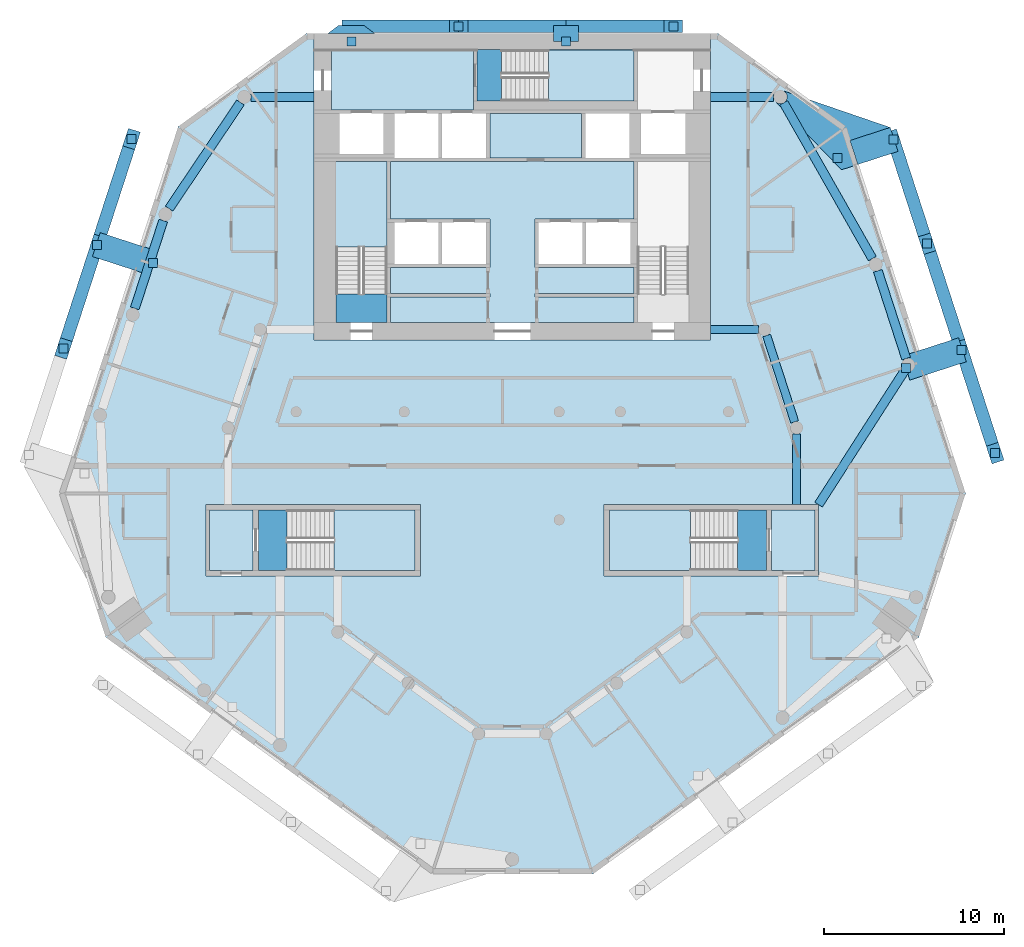
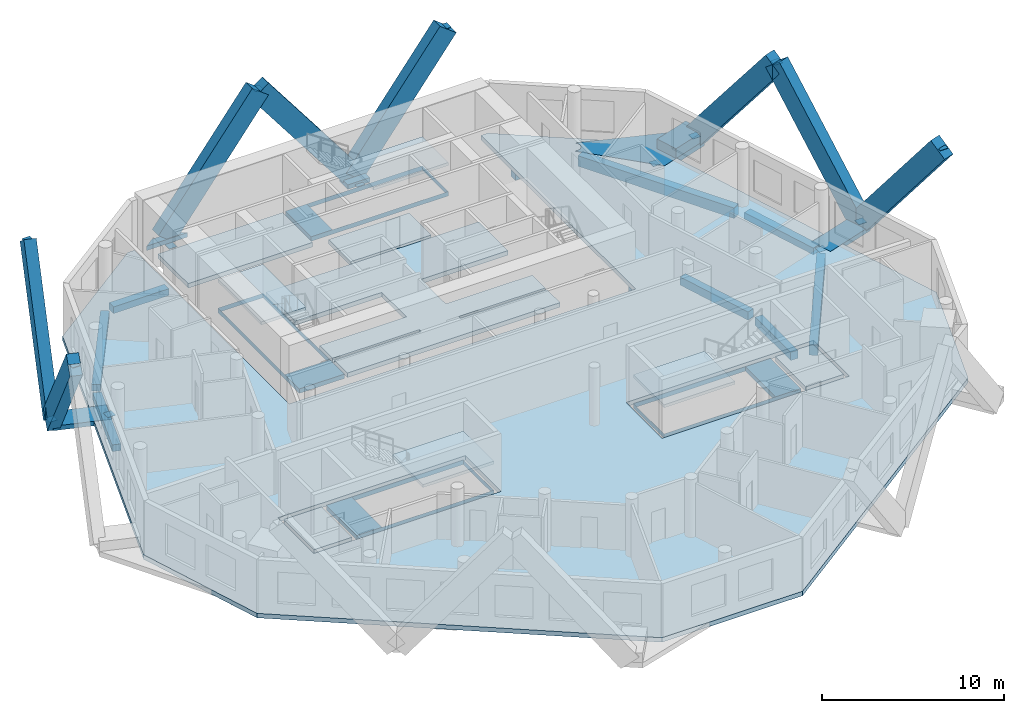
# One storey, part 2 of 10: 14 discrete accessories, 14 members, 14 slabs, 10 beams, 4 elements without a shape of their own.
"""IFC4 building model written with IfcOpenShell, lengths in metres."""

from ifc_helpers import new_model, si_unit, direction, frame, origin, origin_2d, place, context, subcontext, project, spatial, polyline, rectangle, outline, extrude, material, layer, layer_set, material_profile, profile_set, type_object, element, aggregate, save


model = new_model("IFC4")

# Units and contexts
model_context = context("Model", 3, precision=1e-05, world=origin(), true_north=direction((0.0, 1.0)))
body_context = subcontext(model_context, "Body", "Model", "MODEL_VIEW")
ifc_project = project(units=[si_unit("LENGTHUNIT", "METRE"), si_unit("AREAUNIT", "SQUARE_METRE"), si_unit("VOLUMEUNIT", "CUBIC_METRE"), si_unit("PLANEANGLEUNIT", "RADIAN"), si_unit("MASSUNIT", "GRAM", prefix="KILO")], contexts=[model_context])

# Site, building, storey
site_placement = place(None, origin())
site = spatial("IfcSite", under=ifc_project, at=site_placement, CompositionType="ELEMENT")
building_placement = place(site_placement, origin())
building = spatial("IfcBuilding", under=site, at=building_placement, Name="White Candle Pilgrim Tower", CompositionType="ELEMENT")
storey_placement = place(building_placement, frame((0.0, 0.0, 183.699951171875)))
storey = spatial("IfcBuildingStorey", under=building, at=storey_placement, Name="L42", CompositionType="ELEMENT", Elevation=183.699951171875)

# Member
ifc_material_1 = material(Name="Concrete C70/85, white", Category="concrete")
ifc_material_profile_1 = material_profile(ifc_material_1, rectangle(XDim=0.699951171875, YDim=1.300048828125, at=origin_2d()), Name="RC-DG 700x1300")
ifc_profile_set_1 = profile_set([ifc_material_profile_1], Name="Concrete C70/85, white")
member_type_1 = type_object("IfcMemberType", Name="Exoskeleton diagonal RC-DG 700x1300 C70/85", PredefinedType="BRACE", material=ifc_profile_set_1)
member_1_placement = place(storey_placement, frame((72.97900390625, 88.39990234375, 0.0), z_axis=(0.607017009113, 0.0, 0.794688838885), x_axis=(0.0, 1.0, 0.0)))
member_1 = element("IfcMember", 1, at=member_1_placement, inside=storey, type_object=member_type_1, Name="Exoskeleton diagonal EX130", PredefinedType="BRACE", context=body_context, shape_type="SweptSolid", body=[
    extrude(rectangle(XDim=0.699951171875, YDim=1.300048828125, at=origin_2d()), origin(), (0.0, 0.0, 1.0), 9.815185546875),
])

member_2_placement = place(storey_placement, frame((72.97900390625, 88.39990234375, 0.0), z_axis=(-0.607017009113, 0.0, 0.794688838885), x_axis=(0.0, -1.0, 0.0)))
member_2 = element("IfcMember", 2, at=member_2_placement, inside=storey, type_object=member_type_1, Name="Exoskeleton diagonal EX131", PredefinedType="BRACE", context=body_context, shape_type="SweptSolid", body=[
    extrude(rectangle(XDim=0.699951171875, YDim=1.300048828125, at=origin_2d()), origin(), (0.0, 0.0, 1.0), 9.815185546875),
])

member_3_placement = place(storey_placement, frame((61.06298828125, 88.39990234375, 0.0), z_axis=(0.607017009113, 0.0, 0.794688838885), x_axis=(0.0, 1.0, 0.0)))
element("IfcMember", 3, at=member_3_placement, inside=storey, type_object=member_type_1, Name="Exoskeleton diagonal EX132", PredefinedType="BRACE", context=body_context, shape_type="SweptSolid", body=[
    extrude(rectangle(XDim=0.699951171875, YDim=1.300048828125, at=origin_2d()), origin(), (0.0, 0.0, 1.0), 9.815185546875),
])

member_4_placement = place(storey_placement, frame((94.941162109375, 70.43017578125, 0.0), z_axis=(0.188774143624, -0.581016978938, 0.791696654587), x_axis=(0.95106119059, 0.309002608006, 0.0)))
member_4 = element("IfcMember", 4, at=member_4_placement, inside=storey, type_object=member_type_1, Name="Exoskeleton diagonal EX142", PredefinedType="BRACE", context=body_context, shape_type="SweptSolid", body=[
    extrude(rectangle(XDim=0.699951171875, YDim=1.300048828125, at=origin_2d()), origin(), (0.0, 0.0, 1.0), 9.852294921875),
])

member_5_placement = place(storey_placement, frame((94.941162109375, 70.43017578125, 0.0), z_axis=(-0.192388822476, 0.592035326002, 0.782611470496), x_axis=(-0.951044767564, -0.309053150914, 0.0)))
member_5 = element("IfcMember", 5, at=member_5_placement, inside=storey, type_object=member_type_1, Name="Exoskeleton diagonal EX143", PredefinedType="BRACE", context=body_context, shape_type="SweptSolid", body=[
    extrude(rectangle(XDim=0.699951171875, YDim=1.300048828125, at=origin_2d()), origin(), (0.0, 0.0, 1.0), 9.966796875),
])

member_6_placement = place(storey_placement, frame((91.147705078125, 82.10498046875, 0.0), z_axis=(0.189791915082, -0.584170820355, 0.789128304914), x_axis=(0.951064501916, 0.308992416081, 0.0)))
member_6 = element("IfcMember", 6, at=member_6_placement, inside=storey, type_object=member_type_1, Name="Exoskeleton diagonal EX144", PredefinedType="BRACE", context=body_context, shape_type="SweptSolid", body=[
    extrude(rectangle(XDim=0.699951171875, YDim=1.300048828125, at=origin_2d()), origin(), (0.0, 0.0, 1.0), 9.88427734375),
])

member_7_placement = place(storey_placement, frame((46.95556640625, 76.267578125, 0.0), z_axis=(0.191870126516, 0.590503623382, 0.78389497085), x_axis=(-0.951054685131, 0.309022630063, 0.0)))
member_7 = element("IfcMember", 7, at=member_7_placement, inside=storey, type_object=member_type_1, Name="Exoskeleton diagonal EX178", PredefinedType="BRACE", context=body_context, shape_type="SweptSolid", body=[
    extrude(rectangle(XDim=0.699951171875, YDim=1.300048828125, at=origin_2d()), origin(), (0.0, 0.0, 1.0), 9.950439453125),
])

member_8_placement = place(storey_placement, frame((46.95556640625, 76.267578125, 0.0), z_axis=(-0.189284272062, -0.582597741836, 0.790412130194), x_axis=(0.951062853435, -0.308997489984, 0.0)))
member_8 = element("IfcMember", 8, at=member_8_placement, inside=storey, type_object=member_type_1, Name="Exoskeleton diagonal EX179", PredefinedType="BRACE", context=body_context, shape_type="SweptSolid", body=[
    extrude(rectangle(XDim=0.699951171875, YDim=1.300048828125, at=origin_2d()), origin(), (0.0, 0.0, 1.0), 9.868408203125),
])

ifc_layer_1 = layer(ifc_material_1, 0.300048828125)
ifc_layer_set_1 = layer_set([ifc_layer_1], Name="Node tie strut 3300x1400x300 C70/85")
member_type_2 = type_object("IfcMemberType", Name="Node tie strut 3300x1400x300 C70/85", PredefinedType="STRUT", material=ifc_layer_set_1)
member_9_placement = place(storey_placement, frame((93.41943359375, 69.935546875, -0.2998046875), z_axis=(0.0, 0.0, 1.0), x_axis=(-0.309016994375, 0.951056516295, 0.0)))
member_9 = element("IfcMember", 9, at=member_9_placement, inside=storey, type_object=member_type_2, Name="Node tie strut NC131", PredefinedType="STRUT", context=body_context, shape_type="SweptSolid", body=[
    extrude(rectangle(XDim=1.39990234375, YDim=3.300048828125, at=origin_2d()), origin(), (0.0, 0.0, 1.0), 0.300048828125),
])

member_10_placement = place(storey_placement, frame((0.0, 0.0, -0.349853515625)))
member_10 = element("IfcMember", 10, at=member_10_placement, inside=storey, type_object=member_type_2, Name="Node tie strut NC132", PredefinedType="STRUT", context=body_context, shape_type="SweptSolid", body=[
    extrude(outline(polyline([(88.273193359375, 80.43505859375), (91.41162109375, 81.45458984375), (90.97900390625, 82.7861328125), (85.00048828125, 84.835205078125), (85.0234375, 84.826416015625), (85.0458984375, 84.81640625), (85.0673828125, 84.8046875), (85.08837890625, 84.791748046875), (85.1083984375, 84.777587890625), (85.127197265625, 84.761962890625), (85.145263671875, 84.7451171875), (85.161865234375, 84.727294921875), (85.177490234375, 84.708251953125), (85.19189453125, 84.688232421875), (85.204833984375, 84.66748046875), (85.21630859375, 84.64599609375), (85.2265625, 84.62353515625), (85.235107421875, 84.6005859375), (85.2421875, 84.5771484375), (85.247802734375, 84.55322265625), (85.251708984375, 84.52880859375), (85.254150390625, 84.50439453125), (85.2548828125, 84.47998046875), (85.254150390625, 84.45556640625), (85.251708984375, 84.43115234375), (85.247802734375, 84.40673828125), (85.2421875, 84.3828125), (85.235107421875, 84.359619140625), (85.2265625, 84.33642578125), (85.21630859375, 84.314208984375), (85.204833984375, 84.29248046875), (85.19189453125, 84.271728515625), (85.177490234375, 84.251708984375), (85.161865234375, 84.232666015625), (85.145263671875, 84.21484375), (85.127197265625, 84.197998046875), (85.1083984375, 84.1826171875), (85.08837890625, 84.168212890625), (85.0673828125, 84.1552734375), (85.0458984375, 84.143798828125), (85.0234375, 84.133544921875), (85.00048828125, 84.125), (84.97705078125, 84.117919921875), (84.953125, 84.1123046875), (84.928955078125, 84.108154296875), (84.904541015625, 84.105712890625), (84.8798828125, 84.10498046875), (84.85546875, 84.105712890625), (84.8310546875, 84.108154296875), (84.806884765625, 84.1123046875), (84.782958984375, 84.117919921875), (84.759521484375, 84.125), (84.736572265625, 84.133544921875), (84.714111328125, 84.143798828125), (84.6923828125, 84.1552734375), (84.671630859375, 84.168212890625), (84.651611328125, 84.1826171875), (84.6328125, 84.197998046875), (84.61474609375, 84.21484375), (88.273193359375, 80.43505859375)])), origin(), (0.0, 0.0, 1.0), 0.349853515625),
])

member_11_placement = place(storey_placement, origin())
element("IfcMember", 11, at=member_11_placement, inside=storey, type_object=member_type_2, Name="Node tie strut NC132", PredefinedType="STRUT", context=body_context, shape_type="SweptSolid", body=[
    extrude(outline(polyline([(89.176513671875, 80.728515625), (91.41162109375, 81.45458984375), (90.97900390625, 82.7861328125), (88.743896484375, 82.06005859375), (89.176513671875, 80.728515625)])), origin(), (0.0, 0.0, 1.0), 0.650146484375),
])

member_12_placement = place(storey_placement, frame((48.477294921875, 75.773193359375, -0.2998046875), z_axis=(0.0, 0.0, 1.0), x_axis=(-0.309016994375, -0.951056516295, 0.0)))
member_12 = element("IfcMember", 12, at=member_12_placement, inside=storey, type_object=member_type_2, Name="Node tie strut NC139", PredefinedType="STRUT", context=body_context, shape_type="SweptSolid", body=[
    extrude(rectangle(XDim=1.39990234375, YDim=3.300048828125, at=origin_2d()), origin(), (0.0, 0.0, 1.0), 0.300048828125),
])

ifc_layer_2 = layer(ifc_material_1, 0.300048828125)
ifc_layer_set_2 = layer_set([ifc_layer_2], Name="Node tie strut 900x1400x300 C70/85")
member_type_3 = type_object("IfcMemberType", Name="Node tie strut 900x1400x300 C70/85", PredefinedType="STRUT", material=ifc_layer_set_2)
member_13_placement = place(storey_placement, frame((72.97900390625, 88.0, -0.2998046875), z_axis=(0.0, 0.0, 1.0), x_axis=(-1.0, 0.0, 0.0)))
member_13 = element("IfcMember", 13, at=member_13_placement, inside=storey, type_object=member_type_3, Name="Node tie strut NC133", PredefinedType="STRUT", context=body_context, shape_type="SweptSolid", body=[
    extrude(rectangle(XDim=1.39990234375, YDim=0.89990234375, at=origin_2d()), origin(), (0.0, 0.0, 1.0), 0.300048828125),
])

member_14_placement = place(storey_placement, frame((0.0, 0.0, -0.300048828125)))
member_14 = element("IfcMember", 14, at=member_14_placement, inside=storey, type_object=member_type_3, Name="Node tie strut NC134", PredefinedType="STRUT", context=body_context, shape_type="SweptSolid", body=[
    extrude(outline(polyline([(59.762939453125, 88.0), (62.363037109375, 88.0), (61.762939453125, 88.449951171875), (60.363037109375, 88.449951171875), (59.762939453125, 88.0)])), origin(), (0.0, 0.0, 1.0), 0.300048828125),
])

# Beams
ifc_material_2 = material(Name="Concrete C50/60", Category="concrete")
ifc_material_profile_2 = material_profile(ifc_material_2, rectangle(XDim=0.449951171875, YDim=0.550048828125, at=origin_2d()), Name="RC-BM 450x550")
ifc_profile_set_2 = profile_set([ifc_material_profile_2], Name="Concrete C50/60")
beam_type_1 = type_object("IfcBeamType", Name="Ring beam RC-BM 450x550 C50/60", PredefinedType="BEAM", material=ifc_profile_set_2)
beam_1_placement = place(storey_placement, frame((85.780029296875, 65.760009765625, -0.574951171875), z_axis=(0.0, -1.0, 0.0), x_axis=(1.0, 0.0, 0.0)))
element("IfcBeam", 15, at=beam_1_placement, inside=storey, type_object=beam_type_1, Name="L42 ring beam R07", PredefinedType="BEAM", context=body_context, shape_type="SweptSolid", body=[
    extrude(rectangle(XDim=0.449951171875, YDim=0.550048828125, at=origin_2d()), origin(), (0.0, 0.0, 1.0), 3.909912109375),
])
beam_2_placement = place(storey_placement, frame((85.672119140625, 66.44287109375, -0.574951171875), z_axis=(-0.308369651752, 0.95126660715, 0.0), x_axis=(-0.95126660715, -0.308369651752, 0.0)))
element("IfcBeam", 16, at=beam_2_placement, inside=storey, type_object=beam_type_1, Name="L42 ring beam R08", PredefinedType="BEAM", context=body_context, shape_type="SweptSolid", body=[
    extrude(rectangle(XDim=0.449951171875, YDim=0.550048828125, at=origin_2d()), origin(), (0.0, 0.0, 1.0), 5.0400390625),
])
beam_3_placement = place(storey_placement, frame((83.659912109375, 71.570068359375, -0.574951171875), z_axis=(-1.0, 0.0, 0.0), x_axis=(0.0, -1.0, 0.0)))
element("IfcBeam", 17, at=beam_3_placement, inside=storey, type_object=beam_type_1, Name="L42 ring beam R09", PredefinedType="BEAM", context=body_context, shape_type="SweptSolid", body=[
    extrude(rectangle(XDim=0.449951171875, YDim=0.550048828125, at=origin_2d()), origin(), (0.0, 0.0, 1.0), 2.659912109375),
])
ifc_material_profile_3 = material_profile(ifc_material_2, rectangle(XDim=0.5, YDim=0.449951171875, at=origin_2d()), Name="RC-BM 500x450")
ifc_profile_set_3 = profile_set([ifc_material_profile_3], Name="Concrete C50/60")
beam_type_2 = type_object("IfcBeamType", Name="Spandrel beam RC-BM 500x450 C50/60", PredefinedType="BEAM", material=ifc_profile_set_3)
beam_4_placement = place(storey_placement, frame((91.8642578125, 69.95654296875, -0.52490234375), z_axis=(-0.308530369215, 0.951214492779, 0.0), x_axis=(-0.951214492779, -0.308530369215, 0.0)))
element("IfcBeam", 18, at=beam_4_placement, inside=storey, type_object=beam_type_2, Name="L42 spandrel beam T08", PredefinedType="BEAM", context=body_context, shape_type="SweptSolid", body=[
    extrude(rectangle(XDim=0.5, YDim=0.449951171875, at=origin_2d()), origin(), (0.0, 0.0, 1.0), 5.116455078125),
])
for number, where, z_axis, x_axis, name in (
    (19, (84.5048828125, 84.47998046875, -0.52490234375), (-1.0, 0.0, 0.0), (0.0, -1.0, 0.0), "L42 spandrel beam T10"),
    (20, (55.4951171875, 84.47998046875, -0.52490234375), (1.0, 0.0, 0.0), (0.0, 1.0, 0.0), "L42 spandrel beam T11"),
):
    element("IfcBeam", number, at=place(storey_placement, frame(where, z_axis=z_axis, x_axis=x_axis)), inside=storey, type_object=beam_type_2, Name=name, PredefinedType="BEAM", context=body_context, shape_type="SweptSolid", body=[
        extrude(rectangle(XDim=0.5, YDim=0.449951171875, at=origin_2d()), origin(), (0.0, 0.0, 1.0), 3.5048828125),
    ])
beam_5_placement = place(storey_placement, frame((54.91064453125, 84.1689453125, -0.52490234375), z_axis=(-0.55822018442, -0.82969285022, 0.0), x_axis=(0.82969285022, -0.55822018442, 0.0)))
element("IfcBeam", 21, at=beam_5_placement, inside=storey, type_object=beam_type_2, Name="L42 spandrel beam T12", PredefinedType="BEAM", context=body_context, shape_type="SweptSolid", body=[
    extrude(rectangle(XDim=0.5, YDim=0.449951171875, at=origin_2d()), origin(), (0.0, 0.0, 1.0), 7.096435546875),
])
beam_6_placement = place(storey_placement, frame((50.624267578125, 77.61328125, -0.52490234375), z_axis=(-0.308544373382, -0.951209950355, 0.0), x_axis=(0.951209950355, -0.308544373382, 0.0)))
element("IfcBeam", 22, at=beam_6_placement, inside=storey, type_object=beam_type_2, Name="L42 spandrel beam T13", PredefinedType="BEAM", context=body_context, shape_type="SweptSolid", body=[
    extrude(rectangle(XDim=0.5, YDim=0.449951171875, at=origin_2d()), origin(), (0.0, 0.0, 1.0), 5.1162109375),
])
ifc_material_profile_4 = material_profile(ifc_material_2, rectangle(XDim=0.5, YDim=0.699951171875, at=origin_2d()), Name="RC-BM 500x700")
ifc_profile_set_4 = profile_set([ifc_material_profile_4], Name="Concrete C50/60")
beam_type_3 = type_object("IfcBeamType", Name="Spandrel beam RC-BM 500x700 C50/60", PredefinedType="BEAM", material=ifc_profile_set_4)
beam_7_placement = place(storey_placement, frame((91.77734375, 69.28466796875, -0.64990234375), z_axis=(-0.540595612128, -0.841282582815, 0.0), x_axis=(0.841282582815, -0.540595612128, 0.0)))
element("IfcBeam", 23, at=beam_7_placement, inside=storey, type_object=beam_type_3, Name="L42 spandrel beam T07", PredefinedType="BEAM", context=body_context, shape_type="SweptSolid", body=[
    extrude(rectangle(XDim=0.5, YDim=0.699951171875, at=origin_2d()), origin(), (0.0, 0.0, 1.0), 8.837158203125),
])
beam_8_placement = place(storey_placement, frame((89.984619140625, 75.505859375, -0.64990234375), z_axis=(-0.494422929515, 0.869221471646, 0.0), x_axis=(-0.869221471646, -0.494422929515, 0.0)))
element("IfcBeam", 24, at=beam_8_placement, inside=storey, type_object=beam_type_3, Name="L42 spandrel beam T09", PredefinedType="BEAM", context=body_context, shape_type="SweptSolid", body=[
    extrude(rectangle(XDim=0.5, YDim=0.699951171875, at=origin_2d()), origin(), (0.0, 0.0, 1.0), 9.949462890625),
])

# Slabs
ifc_material_3 = material(Name="Concrete C40/50", Category="concrete")
ifc_layer_3 = layer(ifc_material_3, 0.300048828125)
ifc_layer_set_3 = layer_set([ifc_layer_3], Name="Core floor slab 300 mm Concrete C40/50")
slab_type_1 = type_object("IfcSlabType", Name="Core floor slab 300 mm Concrete C40/50", PredefinedType="FLOOR", material=ifc_layer_set_3)
slab_1_placement = place(storey_placement, frame((0.0, 0.0, -0.300048828125)))
element("IfcSlab", 25, at=slab_1_placement, inside=storey, type_object=slab_type_1, Name="CF-L42-01", PredefinedType="FLOOR", context=body_context, shape_type="SweptSolid", body=[
    extrude(outline(polyline([(55.60009765625, 58.199951171875), (53.199951171875, 58.199951171875), (53.199951171875, 61.550048828125), (55.60009765625, 61.550048828125), (55.60009765625, 58.199951171875)])), origin(), (0.0, 0.0, 1.0), 0.300048828125),
])
slab_2_placement = place(storey_placement, frame((0.0, 0.0, -0.300048828125)))
element("IfcSlab", 26, at=slab_2_placement, inside=storey, type_object=slab_type_1, Name="CF-L42-02", PredefinedType="FLOOR", context=body_context, shape_type="SweptSolid", body=[
    extrude(outline(polyline([(55.89990234375, 58.199951171875), (55.89990234375, 61.550048828125), (64.60009765625, 61.550048828125), (64.60009765625, 58.199951171875), (55.89990234375, 58.199951171875)]), holes=[polyline([(57.501953125, 61.548095703125), (57.501953125, 58.201904296875), (64.597900390625, 58.201904296875), (64.597900390625, 61.548095703125), (57.501953125, 61.548095703125)])]), origin(), (0.0, 0.0, 1.0), 0.300048828125),
])
slab_3_placement = place(storey_placement, frame((0.0, 0.0, -0.300048828125)))
element("IfcSlab", 27, at=slab_3_placement, inside=storey, type_object=slab_type_1, Name="CF-L42-03", PredefinedType="FLOOR", context=body_context, shape_type="SweptSolid", body=[
    extrude(outline(polyline([(75.39990234375, 58.199951171875), (75.39990234375, 61.550048828125), (84.10009765625, 61.550048828125), (84.10009765625, 58.199951171875), (75.39990234375, 58.199951171875)]), holes=[polyline([(82.498046875, 58.201904296875), (82.498046875, 61.548095703125), (75.402099609375, 61.548095703125), (75.402099609375, 58.201904296875), (82.498046875, 58.201904296875)])]), origin(), (0.0, 0.0, 1.0), 0.300048828125),
])
slab_4_placement = place(storey_placement, frame((0.0, 0.0, -0.300048828125)))
element("IfcSlab", 28, at=slab_4_placement, inside=storey, type_object=slab_type_1, Name="CF-L42-04", PredefinedType="FLOOR", context=body_context, shape_type="SweptSolid", body=[
    extrude(outline(polyline([(86.800048828125, 58.199951171875), (84.39990234375, 58.199951171875), (84.39990234375, 61.550048828125), (86.800048828125, 61.550048828125), (86.800048828125, 58.199951171875)])), origin(), (0.0, 0.0, 1.0), 0.300048828125),
])
slab_5_placement = place(storey_placement, frame((0.0, 0.0, -0.300048828125)))
element("IfcSlab", 29, at=slab_5_placement, inside=storey, type_object=slab_type_1, Name="CF-L42-05", PredefinedType="FLOOR", context=body_context, shape_type="SweptSolid", body=[
    extrude(outline(polyline([(76.75, 87.10009765625), (76.75, 87.050048828125), (76.75, 84.25), (68.050048828125, 84.25), (68.050048828125, 87.050048828125), (68.050048828125, 87.10009765625), (76.75, 87.10009765625)]), holes=[polyline([(69.402099609375, 87.097900390625), (69.402099609375, 84.251953125), (76.748046875, 84.251953125), (76.748046875, 87.097900390625), (69.402099609375, 87.097900390625)])]), origin(), (0.0, 0.0, 1.0), 0.300048828125),
])
slab_6_placement = place(storey_placement, frame((0.0, 0.0, -0.300048828125)))
element("IfcSlab", 30, at=slab_6_placement, inside=storey, type_object=slab_type_1, Name="CF-L42-08", PredefinedType="FLOOR", context=body_context, shape_type="SweptSolid", body=[
    extrude(outline(polyline([(63.25, 71.949951171875), (63.25, 73.375), (68.75, 73.375), (68.75, 73.574951171875), (63.25, 73.574951171875), (63.25, 75.0), (68.75, 75.0), (68.75, 75.199951171875), (68.75, 77.5), (68.75, 77.699951171875), (63.25, 77.699951171875), (63.25, 80.89990234375), (76.75, 80.89990234375), (76.75, 77.699951171875), (71.25, 77.699951171875), (71.25, 77.5), (71.25, 75.199951171875), (71.25, 75.0), (76.75, 75.0), (76.75, 73.574951171875), (71.25, 73.574951171875), (71.25, 73.375), (76.75, 73.375), (76.75, 71.949951171875), (63.25, 71.949951171875)])), origin(), (0.0, 0.0, 1.0), 0.300048828125),
])
slab_7_placement = place(storey_placement, frame((0.0, 0.0, -0.300048828125)))
element("IfcSlab", 31, at=slab_7_placement, inside=storey, type_object=slab_type_1, Name="CF-L42-09", PredefinedType="FLOOR", context=body_context, shape_type="SweptSolid", body=[
    extrude(outline(polyline([(60.199951171875, 71.949951171875), (60.199951171875, 80.89990234375), (63.050048828125, 80.89990234375), (63.050048828125, 77.699951171875), (63.050048828125, 77.5), (63.050048828125, 75.199951171875), (63.050048828125, 75.0), (63.050048828125, 73.574951171875), (63.050048828125, 73.375), (63.050048828125, 71.949951171875), (60.199951171875, 71.949951171875)]), holes=[polyline([(60.201904296875, 73.552001953125), (63.048095703125, 73.552001953125), (63.048095703125, 80.89794921875), (60.201904296875, 80.89794921875), (60.201904296875, 73.552001953125)])]), origin(), (0.0, 0.0, 1.0), 0.300048828125),
])
slab_8_placement = place(storey_placement, frame((0.0, 0.0, -0.300048828125)))
element("IfcSlab", 32, at=slab_8_placement, inside=storey, type_object=slab_type_1, Name="CF-L42-10", PredefinedType="FLOOR", context=body_context, shape_type="SweptSolid", body=[
    extrude(outline(polyline([(59.949951171875, 87.050048828125), (67.85009765625, 87.050048828125), (67.85009765625, 84.25), (67.85009765625, 83.75), (59.949951171875, 83.75), (59.949951171875, 87.050048828125)])), origin(), (0.0, 0.0, 1.0), 0.300048828125),
])
slab_9_placement = place(storey_placement, frame((0.0, 0.0, -0.300048828125)))
element("IfcSlab", 33, at=slab_9_placement, inside=storey, type_object=slab_type_1, Name="CF-L42-11", PredefinedType="FLOOR", context=body_context, shape_type="SweptSolid", body=[
    extrude(outline(polyline([(73.85009765625, 83.550048828125), (73.85009765625, 81.10009765625), (68.75, 81.10009765625), (68.75, 83.550048828125), (73.85009765625, 83.550048828125)])), origin(), (0.0, 0.0, 1.0), 0.300048828125),
])
ifc_layer_4 = layer(ifc_material_3, 0.300048828125)
ifc_layer_set_4 = layer_set([ifc_layer_4], Name="Floor slab 300 REI 120")
slab_type_2 = type_object("IfcSlabType", Name="Floor slab 300 REI 120", PredefinedType="FLOOR", material=ifc_layer_set_4)
slab_10_placement = place(storey_placement, frame((0.0, 0.0, -0.300048828125)))
element("IfcSlab", 34, at=slab_10_placement, inside=storey, type_object=slab_type_2, Name="L42 floor slab", PredefinedType="FLOOR", context=body_context, shape_type="SweptSolid", body=[
    extrude(outline(polyline([(65.53564453125, 41.333984375), (74.46435546875, 41.333984375), (92.567138671875, 54.486328125), (95.161376953125, 62.470703125), (88.544189453125, 82.836181640625), (81.43701171875, 88.0), (81.0, 88.0), (81.0, 71.0), (59.0, 71.0), (59.0, 88.0), (58.56298828125, 88.0), (51.455810546875, 82.836181640625), (44.838623046875, 62.470703125), (47.432861328125, 54.486328125), (65.53564453125, 41.333984375)]), holes=[polyline([(53.0, 57.89990234375), (53.0, 61.85009765625), (64.89990234375, 61.85009765625), (64.89990234375, 57.89990234375), (53.0, 57.89990234375)]), polyline([(75.10009765625, 57.89990234375), (75.10009765625, 61.85009765625), (87.0, 61.85009765625), (87.0, 57.89990234375), (75.10009765625, 57.89990234375)])]), origin(), (0.0, 0.0, 1.0), 0.300048828125),
])

# Stair, slab
stair_type_1 = type_object("IfcStairType", Name="Exit stair 1 flight width 1350 mm", PredefinedType="HALF_TURN_STAIR", material=ifc_material_3)
stair_1_placement = place(storey_placement, origin())
stair_1 = element("IfcStair", 35, at=stair_1_placement, inside=storey, type_object=stair_type_1, Name="L42 stair 1", PredefinedType="NOTDEFINED")
ifc_layer_5 = layer(ifc_material_3, 0.199951171875)
ifc_layer_set_5 = layer_set([ifc_layer_5], Name="Stair landing Concrete C40/50")
slab_type_3 = type_object("IfcSlabType", Name="Stair landing Concrete C40/50", PredefinedType="LANDING", material=ifc_layer_set_5)
slab_11_placement = place(storey_placement, frame((0.0, 0.0, 1.75)))
slab_11 = element("IfcSlab", 36, at=slab_11_placement, type_object=slab_type_3, Name="ST1 landing 1", PredefinedType="LANDING", context=body_context, shape_type="SweptSolid", body=[
    extrude(outline(polyline([(63.052001953125, 76.14794921875), (60.197998046875, 76.14794921875), (60.197998046875, 80.902099609375), (63.052001953125, 80.902099609375), (63.052001953125, 76.14794921875)])), origin(), (0.0, 0.0, 1.0), 0.199951171875),
])
aggregate(stair_1, [slab_11])

stair_type_2 = type_object("IfcStairType", Name="Exit stair 3 flight width 1350 mm", PredefinedType="HALF_TURN_STAIR", material=ifc_material_3)
stair_2_placement = place(storey_placement, origin())
stair_2 = element("IfcStair", 37, at=stair_2_placement, inside=storey, type_object=stair_type_2, Name="L42 stair 3", PredefinedType="NOTDEFINED")
slab_12_placement = place(storey_placement, frame((0.0, 0.0, 1.75)))
slab_12 = element("IfcSlab", 38, at=slab_12_placement, type_object=slab_type_3, Name="ST3 landing 1", PredefinedType="LANDING", context=body_context, shape_type="SweptSolid", body=[
    extrude(outline(polyline([(71.998046875, 84.248046875), (71.998046875, 87.10205078125), (76.751953125, 87.10205078125), (76.751953125, 84.248046875), (71.998046875, 84.248046875)])), origin(), (0.0, 0.0, 1.0), 0.199951171875),
])
aggregate(stair_2, [slab_12])

stair_type_3 = type_object("IfcStairType", Name="Exit stair 4 flight width 1600 mm", PredefinedType="HALF_TURN_STAIR", material=ifc_material_3)
stair_3_placement = place(storey_placement, origin())
stair_3 = element("IfcStair", 39, at=stair_3_placement, inside=storey, type_object=stair_type_3, Name="L42 stair 4", PredefinedType="NOTDEFINED")
slab_13_placement = place(storey_placement, frame((0.0, 0.0, 1.75)))
slab_13 = element("IfcSlab", 40, at=slab_13_placement, type_object=slab_type_3, Name="ST4 landing 1", PredefinedType="LANDING", context=body_context, shape_type="SweptSolid", body=[
    extrude(outline(polyline([(79.902099609375, 61.552001953125), (79.902099609375, 58.197998046875), (75.39794921875, 58.197998046875), (75.39794921875, 61.552001953125), (79.902099609375, 61.552001953125)])), origin(), (0.0, 0.0, 1.0), 0.199951171875),
])
aggregate(stair_3, [slab_13])

stair_type_4 = type_object("IfcStairType", Name="Exit stair 5 flight width 1600 mm", PredefinedType="HALF_TURN_STAIR", material=ifc_material_3)
stair_4_placement = place(storey_placement, origin())
stair_4 = element("IfcStair", 41, at=stair_4_placement, inside=storey, type_object=stair_type_4, Name="L42 stair 5", PredefinedType="NOTDEFINED")
slab_14_placement = place(storey_placement, frame((0.0, 0.0, 1.75)))
slab_14 = element("IfcSlab", 42, at=slab_14_placement, type_object=slab_type_3, Name="ST5 landing 1", PredefinedType="LANDING", context=body_context, shape_type="SweptSolid", body=[
    extrude(outline(polyline([(60.097900390625, 58.197998046875), (60.097900390625, 61.552001953125), (64.60205078125, 61.552001953125), (64.60205078125, 58.197998046875), (60.097900390625, 58.197998046875)])), origin(), (0.0, 0.0, 1.0), 0.199951171875),
])
aggregate(stair_4, [slab_14])

# Discrete accessory
ifc_material_4 = material(Name="Steel S355", Category="steel")
ifc_layer_6 = layer(ifc_material_4, 0.02490234375)
ifc_layer_set_6 = layer_set([ifc_layer_6], Name="Gusset plate 500x500x25 S355")
discrete_accessory_type = type_object("IfcDiscreteAccessoryType", Name="Gusset plate 500x500x25 S355", PredefinedType="BRACKET", material=ifc_layer_set_6)
placement = place(building_placement, frame((0.0, 0.0, 191.5)))
discrete_accessory_1_placement = place(placement, frame((78.93701171875, 88.39990234375, -0.012451171875), z_axis=(0.0, 0.0, 1.0), x_axis=(1.0, 0.0, 0.0)))
discrete_accessory_1 = element("IfcDiscreteAccessory", 43, at=discrete_accessory_1_placement, type_object=discrete_accessory_type, Name="Gusset plate 0144", PredefinedType="BRACKET", context=body_context, shape_type="SweptSolid", body=[
    extrude(rectangle(XDim=0.5, YDim=0.5, at=origin_2d()), origin(), (0.0, 0.0, 1.0), 0.02490234375),
])

aggregate(member_1, [discrete_accessory_1])

discrete_accessory_2_placement = place(placement, frame((67.02099609375, 88.39990234375, -0.012451171875), z_axis=(0.0, 0.0, 1.0), x_axis=(1.0, 0.0, 0.0)))
discrete_accessory_2 = element("IfcDiscreteAccessory", 44, at=discrete_accessory_2_placement, type_object=discrete_accessory_type, Name="Gusset plate 0145", PredefinedType="BRACKET", context=body_context, shape_type="SweptSolid", body=[
    extrude(rectangle(XDim=0.5, YDim=0.5, at=origin_2d()), origin(), (0.0, 0.0, 1.0), 0.02490234375),
])

aggregate(member_2, [discrete_accessory_2])

discrete_accessory_3_placement = place(storey_placement, frame((94.941162109375, 70.43017578125, -0.012451171875), z_axis=(0.0, 0.0, 1.0), x_axis=(1.0, 0.0, 0.0)))
discrete_accessory_3 = element("IfcDiscreteAccessory", 45, at=discrete_accessory_3_placement, type_object=discrete_accessory_type, Name="Gusset plate 0157", PredefinedType="BRACKET", context=body_context, shape_type="SweptSolid", body=[
    extrude(rectangle(XDim=0.5, YDim=0.5, at=origin_2d()), origin(), (0.0, 0.0, 1.0), 0.02490234375),
])

discrete_accessory_4_placement = place(placement, frame((96.801025390625, 64.705810546875, -0.012451171875), z_axis=(0.0, 0.0, 1.0), x_axis=(1.0, 0.0, 0.0)))
discrete_accessory_4 = element("IfcDiscreteAccessory", 46, at=discrete_accessory_4_placement, type_object=discrete_accessory_type, Name="Gusset plate 0158", PredefinedType="BRACKET", context=body_context, shape_type="SweptSolid", body=[
    extrude(rectangle(XDim=0.5, YDim=0.5, at=origin_2d()), origin(), (0.0, 0.0, 1.0), 0.02490234375),
])

aggregate(member_4, [discrete_accessory_3, discrete_accessory_4])

discrete_accessory_5_placement = place(placement, frame((93.023681640625, 76.330810546875, -0.012451171875), z_axis=(0.0, 0.0, 1.0), x_axis=(1.0, 0.0, 0.0)))
discrete_accessory_5 = element("IfcDiscreteAccessory", 47, at=discrete_accessory_5_placement, type_object=discrete_accessory_type, Name="Gusset plate 0159", PredefinedType="BRACKET", context=body_context, shape_type="SweptSolid", body=[
    extrude(rectangle(XDim=0.5, YDim=0.5, at=origin_2d()), origin(), (0.0, 0.0, 1.0), 0.02490234375),
])

aggregate(member_5, [discrete_accessory_5])

discrete_accessory_6_placement = place(storey_placement, frame((91.147705078125, 82.10498046875, -0.012451171875), z_axis=(0.0, 0.0, 1.0), x_axis=(1.0, 0.0, 0.0)))
discrete_accessory_6 = element("IfcDiscreteAccessory", 48, at=discrete_accessory_6_placement, type_object=discrete_accessory_type, Name="Gusset plate 0160", PredefinedType="BRACKET", context=body_context, shape_type="SweptSolid", body=[
    extrude(rectangle(XDim=0.5, YDim=0.5, at=origin_2d()), origin(), (0.0, 0.0, 1.0), 0.02490234375),
])

aggregate(member_6, [discrete_accessory_6])

discrete_accessory_7_placement = place(storey_placement, frame((46.95556640625, 76.267578125, -0.012451171875), z_axis=(0.0, 0.0, 1.0), x_axis=(1.0, 0.0, 0.0)))
discrete_accessory_7 = element("IfcDiscreteAccessory", 49, at=discrete_accessory_7_placement, type_object=discrete_accessory_type, Name="Gusset plate 0203", PredefinedType="BRACKET", context=body_context, shape_type="SweptSolid", body=[
    extrude(rectangle(XDim=0.5, YDim=0.5, at=origin_2d()), origin(), (0.0, 0.0, 1.0), 0.02490234375),
])

discrete_accessory_8_placement = place(placement, frame((48.86474609375, 82.143310546875, -0.012451171875), z_axis=(0.0, 0.0, 1.0), x_axis=(1.0, 0.0, 0.0)))
discrete_accessory_8 = element("IfcDiscreteAccessory", 50, at=discrete_accessory_8_placement, type_object=discrete_accessory_type, Name="Gusset plate 0204", PredefinedType="BRACKET", context=body_context, shape_type="SweptSolid", body=[
    extrude(rectangle(XDim=0.5, YDim=0.5, at=origin_2d()), origin(), (0.0, 0.0, 1.0), 0.02490234375),
])

aggregate(member_7, [discrete_accessory_7, discrete_accessory_8])

discrete_accessory_9_placement = place(placement, frame((45.087646484375, 70.518310546875, -0.012451171875), z_axis=(0.0, 0.0, 1.0), x_axis=(1.0, 0.0, 0.0)))
discrete_accessory_9 = element("IfcDiscreteAccessory", 51, at=discrete_accessory_9_placement, type_object=discrete_accessory_type, Name="Gusset plate 0205", PredefinedType="BRACKET", context=body_context, shape_type="SweptSolid", body=[
    extrude(rectangle(XDim=0.5, YDim=0.5, at=origin_2d()), origin(), (0.0, 0.0, 1.0), 0.02490234375),
])

aggregate(member_8, [discrete_accessory_9])

discrete_accessory_10_placement = place(storey_placement, frame((91.85009765625, 69.42578125, -0.162353515625), z_axis=(0.0, 0.0, 1.0), x_axis=(1.0, 0.0, 0.0)))
discrete_accessory_10 = element("IfcDiscreteAccessory", 52, at=discrete_accessory_10_placement, type_object=discrete_accessory_type, Name="Gusset plate 0512", PredefinedType="BRACKET", context=body_context, shape_type="SweptSolid", body=[
    extrude(rectangle(XDim=0.5, YDim=0.5, at=origin_2d()), origin(), (0.0, 0.0, 1.0), 0.02490234375),
])

aggregate(member_9, [discrete_accessory_10])

discrete_accessory_11_placement = place(storey_placement, frame((88.056884765625, 81.1005859375, -0.162353515625), z_axis=(0.0, 0.0, 1.0), x_axis=(1.0, 0.0, 0.0)))
discrete_accessory_11 = element("IfcDiscreteAccessory", 53, at=discrete_accessory_11_placement, type_object=discrete_accessory_type, Name="Gusset plate 0513", PredefinedType="BRACKET", context=body_context, shape_type="SweptSolid", body=[
    extrude(rectangle(XDim=0.5, YDim=0.5, at=origin_2d()), origin(), (0.0, 0.0, 1.0), 0.02490234375),
])

aggregate(member_10, [discrete_accessory_11])

discrete_accessory_12_placement = place(storey_placement, frame((72.97900390625, 87.550048828125, -0.162353515625), z_axis=(0.0, 0.0, 1.0), x_axis=(1.0, 0.0, 0.0)))
discrete_accessory_12 = element("IfcDiscreteAccessory", 54, at=discrete_accessory_12_placement, type_object=discrete_accessory_type, Name="Gusset plate 0514", PredefinedType="BRACKET", context=body_context, shape_type="SweptSolid", body=[
    extrude(rectangle(XDim=0.5, YDim=0.5, at=origin_2d()), origin(), (0.0, 0.0, 1.0), 0.02490234375),
])

aggregate(member_13, [discrete_accessory_12])

discrete_accessory_13_placement = place(storey_placement, frame((61.06298828125, 87.550048828125, -0.162353515625), z_axis=(0.0, 0.0, 1.0), x_axis=(1.0, 0.0, 0.0)))
discrete_accessory_13 = element("IfcDiscreteAccessory", 55, at=discrete_accessory_13_placement, type_object=discrete_accessory_type, Name="Gusset plate 0515", PredefinedType="BRACKET", context=body_context, shape_type="SweptSolid", body=[
    extrude(rectangle(XDim=0.5, YDim=0.5, at=origin_2d()), origin(), (0.0, 0.0, 1.0), 0.02490234375),
])

aggregate(member_14, [discrete_accessory_13])

discrete_accessory_14_placement = place(storey_placement, frame((50.04638671875, 75.26318359375, -0.162353515625), z_axis=(0.0, 0.0, 1.0), x_axis=(1.0, 0.0, 0.0)))
discrete_accessory_14 = element("IfcDiscreteAccessory", 56, at=discrete_accessory_14_placement, type_object=discrete_accessory_type, Name="Gusset plate 0520", PredefinedType="BRACKET", context=body_context, shape_type="SweptSolid", body=[
    extrude(rectangle(XDim=0.5, YDim=0.5, at=origin_2d()), origin(), (0.0, 0.0, 1.0), 0.02490234375),
])

aggregate(member_12, [discrete_accessory_14])

save(model, "model.ifc")
